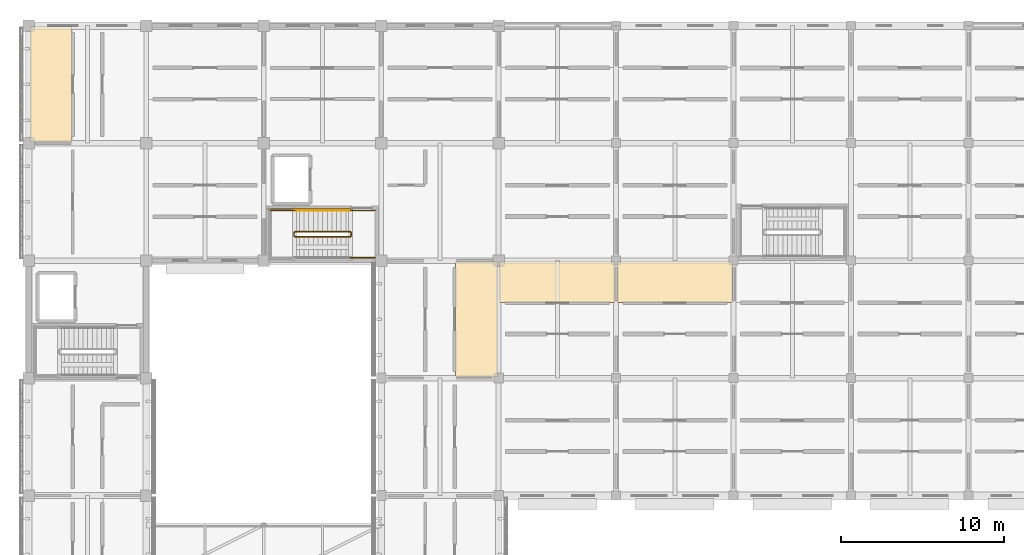
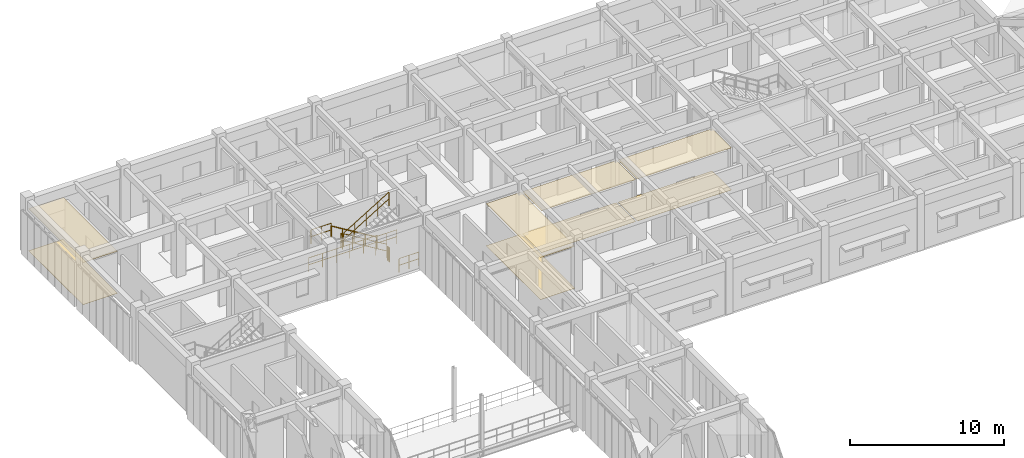
# One storey, part 151 of 171: 9 railings, 8 coverings.
"""IFC4 building model written with IfcOpenShell, lengths in metres."""

from ifc_helpers import new_model, si_unit, direction, frame, origin, origin_2d, place, context, subcontext, project, spatial, polyline, circle, outline, extrude, material, layer, layer_set, type_object, element, save


model = new_model("IFC4")

# Units and contexts
model_context = context("Model", 3, precision=1e-05, world=origin(), true_north=direction((0.0, 1.0)))
body_context = subcontext(model_context, "Body", "Model", "MODEL_VIEW")
ifc_project = project(units=[si_unit("LENGTHUNIT", "METRE"), si_unit("AREAUNIT", "SQUARE_METRE"), si_unit("VOLUMEUNIT", "CUBIC_METRE"), si_unit("PLANEANGLEUNIT", "RADIAN"), si_unit("MASSUNIT", "GRAM", prefix="KILO")], contexts=[model_context])

# Site, building, storey
site_placement = place(None, origin())
site = spatial("IfcSite", under=ifc_project, at=site_placement, CompositionType="ELEMENT")
building_placement = place(site_placement, origin())
building = spatial("IfcBuilding", under=site, at=building_placement, Name="Aldebral Square Health Centre", CompositionType="ELEMENT")
storey_placement = place(building_placement, frame((0.0, 0.0, 4.5)))
storey = spatial("IfcBuildingStorey", under=building, at=storey_placement, Name="L01", CompositionType="ELEMENT", Elevation=4.5)

# Coverings
ifc_material_1 = material(Name="Hygienic acoustic mineral ceiling tile")
ifc_layer_1 = layer(ifc_material_1, 0.02001953125, Name="Hygienic acoustic mineral ceiling tile")
ifc_layer_set_1 = layer_set([ifc_layer_1], Name="Hygienic acoustic mineral ceiling tile")
covering_type_1 = type_object("IfcCoveringType", Name="COV-CLG-AC", PredefinedType="CEILING", material=ifc_layer_set_1)
covering_1_placement = place(storey_placement, frame((0.0, 0.0, 3.340087890625)))
element("IfcCovering", 1, at=covering_1_placement, inside=storey, type_object=covering_type_1, Name="L01 Mammography Screening Suite 5.14N acoustic ceiling", PredefinedType="CEILING", context=body_context, shape_type="SweptSolid", body=[
    extrude(outline(polyline([(28.860107421875, 98.239990234375), (35.93994140625, 98.239990234375), (35.93994140625, 100.739990234375), (28.860107421875, 100.739990234375), (28.860107421875, 98.239990234375)])), origin(), (0.0, 0.0, 1.0), 0.02001953125),
])
covering_2_placement = place(storey_placement, frame((0.0, 0.0, 3.340087890625)))
element("IfcCovering", 2, at=covering_2_placement, inside=storey, type_object=covering_type_1, Name="L01 Mammography Screening Suite 6.14N acoustic ceiling", PredefinedType="CEILING", context=body_context, shape_type="SweptSolid", body=[
    extrude(outline(polyline([(36.06005859375, 98.239990234375), (43.139892578125, 98.239990234375), (43.139892578125, 100.739990234375), (36.06005859375, 100.739990234375), (36.06005859375, 98.239990234375)])), origin(), (0.0, 0.0, 1.0), 0.02001953125),
])
covering_3_placement = place(storey_placement, frame((0.0, 0.0, 3.340087890625)))
element("IfcCovering", 3, at=covering_3_placement, inside=storey, type_object=covering_type_1, Name="L01 Accessible WC 1.16W acoustic ceiling", PredefinedType="CEILING", context=body_context, shape_type="SweptSolid", body=[
    extrude(outline(polyline([(0.06005859375, 108.06005859375), (2.659912109375, 108.06005859375), (2.659912109375, 115.139892578125), (0.06005859375, 115.139892578125), (0.06005859375, 108.06005859375)])), origin(), (0.0, 0.0, 1.0), 0.02001953125),
])
covering_4_placement = place(storey_placement, frame((0.0, 0.0, 3.340087890625)))
element("IfcCovering", 4, at=covering_4_placement, inside=storey, type_object=covering_type_1, Name="L01 Diabetic Foot Care Room 4.14E acoustic ceiling", PredefinedType="CEILING", context=body_context, shape_type="SweptSolid", body=[
    extrude(outline(polyline([(26.139892578125, 93.659912109375), (28.739990234375, 93.659912109375), (28.739990234375, 100.739990234375), (26.139892578125, 100.739990234375), (26.139892578125, 93.659912109375)])), origin(), (0.0, 0.0, 1.0), 0.02001953125),
])
ifc_material_2 = material(Name="Antimicrobial clinical vinyl flooring")
ifc_layer_2 = layer(ifc_material_2, 0.014892578125, Name="Antimicrobial clinical vinyl flooring")
ifc_layer_set_2 = layer_set([ifc_layer_2], Name="Antimicrobial clinical vinyl flooring")
covering_type_2 = type_object("IfcCoveringType", Name="COV-FLR-VN", PredefinedType="FLOORING", material=ifc_layer_set_2)
covering_5_placement = place(storey_placement, origin())
element("IfcCovering", 5, at=covering_5_placement, inside=storey, type_object=covering_type_2, Name="L01 Mammography Screening Suite 5.14N clinical flooring", PredefinedType="FLOORING", context=body_context, shape_type="SweptSolid", body=[
    extrude(outline(polyline([(28.860107421875, 98.239990234375), (35.93994140625, 98.239990234375), (35.93994140625, 100.739990234375), (28.860107421875, 100.739990234375), (28.860107421875, 98.239990234375)])), origin(), (0.0, 0.0, 1.0), 0.014892578125),
])
covering_6_placement = place(storey_placement, origin())
element("IfcCovering", 6, at=covering_6_placement, inside=storey, type_object=covering_type_2, Name="L01 Mammography Screening Suite 6.14N clinical flooring", PredefinedType="FLOORING", context=body_context, shape_type="SweptSolid", body=[
    extrude(outline(polyline([(36.06005859375, 98.239990234375), (43.139892578125, 98.239990234375), (43.139892578125, 100.739990234375), (36.06005859375, 100.739990234375), (36.06005859375, 98.239990234375)])), origin(), (0.0, 0.0, 1.0), 0.014892578125),
])
covering_7_placement = place(storey_placement, origin())
element("IfcCovering", 7, at=covering_7_placement, inside=storey, type_object=covering_type_2, Name="L01 Accessible WC 1.16W clinical flooring", PredefinedType="FLOORING", context=body_context, shape_type="SweptSolid", body=[
    extrude(outline(polyline([(0.06005859375, 108.06005859375), (2.659912109375, 108.06005859375), (2.659912109375, 115.139892578125), (0.06005859375, 115.139892578125), (0.06005859375, 108.06005859375)])), origin(), (0.0, 0.0, 1.0), 0.014892578125),
])
covering_8_placement = place(storey_placement, origin())
element("IfcCovering", 8, at=covering_8_placement, inside=storey, type_object=covering_type_2, Name="L01 Diabetic Foot Care Room 4.14E clinical flooring", PredefinedType="FLOORING", context=body_context, shape_type="SweptSolid", body=[
    extrude(outline(polyline([(26.139892578125, 93.659912109375), (28.739990234375, 93.659912109375), (28.739990234375, 100.739990234375), (26.139892578125, 100.739990234375), (26.139892578125, 93.659912109375)])), origin(), (0.0, 0.0, 1.0), 0.014892578125),
])

# Railings
ifc_material_3 = material(Name="Painted steel S355JR stair guard", Category="steel")
railing_type_1 = type_object("IfcRailingType", Name="RL-ST-GRD", PredefinedType="GUARDRAIL", material=ifc_material_3)
railing_1_placement = place(storey_placement, frame((19.719970703125, 102.570068359375, 0.173095703125)))
element("IfcRailing", 9, at=railing_1_placement, inside=storey, type_object=railing_type_1, Name="L01 ST-02 stair guard 1", PredefinedType="GUARDRAIL", context=body_context, shape_type="SweptSolid", body=[
    extrude(circle(Radius=0.02392578125, at=origin_2d()), frame((0.0, 0.0, 1.09619140625), z_axis=(-0.854729506542, 0.0, 0.519073665916), x_axis=(0.0, -1.0, 0.0)), (0.0, 0.0, 1.0), 4.001220703125),
    extrude(circle(Radius=0.02392578125, at=origin_2d()), frame((0.0, 0.0, 0.56005859375), z_axis=(-0.854729506542, 0.0, 0.519073665916), x_axis=(0.0, -1.0, 0.0)), (0.0, 0.0, 1.0), 4.001220703125),
    extrude(circle(Radius=0.02099609375, at=origin_2d()), origin(), (0.0, 0.0, 1.0), 1.072021484375),
    extrude(circle(Radius=0.02099609375, at=origin_2d()), frame((-0.85498046875, 0.0, 0.519287109375)), (0.0, 0.0, 1.0), 1.072021484375),
    extrude(circle(Radius=0.02099609375, at=origin_2d()), frame((-1.7099609375, 0.0, 1.03857421875)), (0.0, 0.0, 1.0), 1.072021484375),
    extrude(circle(Radius=0.02099609375, at=origin_2d()), frame((-2.56494140625, 0.0, 1.5576171875)), (0.0, 0.0, 1.0), 1.072021484375),
    extrude(circle(Radius=0.02099609375, at=origin_2d()), frame((-3.419921875, 0.0, 2.076904296875)), (0.0, 0.0, 1.0), 1.072021484375),
])
railing_2_placement = place(storey_placement, frame((16.25, 102.52001953125, 2.25)))
element("IfcRailing", 10, at=railing_2_placement, inside=storey, type_object=railing_type_1, Name="L01 ST-02 stair guard 2", PredefinedType="GUARDRAIL", context=body_context, shape_type="SweptSolid", body=[
    extrude(circle(Radius=0.02392578125, at=origin_2d()), frame((0.0, 0.0, 1.09619140625), z_axis=(0.0, -1.0, 0.0), x_axis=(1.0, 0.0, 0.0)), (0.0, 0.0, 1.0), 0.199951171875),
    extrude(circle(Radius=0.02392578125, at=origin_2d()), frame((0.0, 0.0, 0.56005859375), z_axis=(0.0, -1.0, 0.0), x_axis=(1.0, 0.0, 0.0)), (0.0, 0.0, 1.0), 0.199951171875),
    extrude(circle(Radius=0.02099609375, at=origin_2d()), origin(), (0.0, 0.0, 1.0), 1.072021484375),
    extrude(circle(Radius=0.02099609375, at=origin_2d()), frame((0.0, -0.199951171875, 0.0)), (0.0, 0.0, 1.0), 1.072021484375),
])
railing_3_placement = place(storey_placement, frame((16.300048828125, 103.8701171875, 2.25)))
element("IfcRailing", 11, at=railing_3_placement, inside=storey, type_object=railing_type_1, Name="L01 ST-02 stair guard 3", PredefinedType="GUARDRAIL", context=body_context, shape_type="SweptSolid", body=[
    extrude(circle(Radius=0.02392578125, at=origin_2d()), frame((0.0, 0.0, 1.09619140625), z_axis=(-1.0, 0.0, 0.0), x_axis=(0.0, -1.0, 0.0)), (0.0, 0.0, 1.0), 1.52001953125),
    extrude(circle(Radius=0.02392578125, at=origin_2d()), frame((0.0, 0.0, 0.56005859375), z_axis=(-1.0, 0.0, 0.0), x_axis=(0.0, -1.0, 0.0)), (0.0, 0.0, 1.0), 1.52001953125),
    extrude(circle(Radius=0.02099609375, at=origin_2d()), origin(), (0.0, 0.0, 1.0), 1.072021484375),
    extrude(circle(Radius=0.02099609375, at=origin_2d()), frame((-0.760009765625, 0.0, 0.0)), (0.0, 0.0, 1.0), 1.072021484375),
    extrude(circle(Radius=0.02099609375, at=origin_2d()), frame((-1.52001953125, 0.0, 0.0)), (0.0, 0.0, 1.0), 1.072021484375),
])
railing_4_placement = place(storey_placement, frame((16.300048828125, 102.27001953125, 2.423095703125)))
element("IfcRailing", 12, at=railing_4_placement, inside=storey, type_object=railing_type_1, Name="L01 ST-02 stair guard 6", PredefinedType="GUARDRAIL", context=body_context, shape_type="SweptSolid", body=[
    extrude(circle(Radius=0.02392578125, at=origin_2d()), frame((0.0, 0.0, 1.09619140625), z_axis=(0.854729506542, 0.0, 0.519073665916), x_axis=(0.0, 1.0, 0.0)), (0.0, 0.0, 1.0), 4.001220703125),
    extrude(circle(Radius=0.02392578125, at=origin_2d()), frame((0.0, 0.0, 0.56005859375), z_axis=(0.854729506542, 0.0, 0.519073665916), x_axis=(0.0, 1.0, 0.0)), (0.0, 0.0, 1.0), 4.001220703125),
    extrude(circle(Radius=0.02099609375, at=origin_2d()), origin(), (0.0, 0.0, 1.0), 1.072021484375),
    extrude(circle(Radius=0.02099609375, at=origin_2d()), frame((0.85498046875, 0.0, 0.519287109375)), (0.0, 0.0, 1.0), 1.072021484375),
    extrude(circle(Radius=0.02099609375, at=origin_2d()), frame((1.7099609375, 0.0, 1.03857421875)), (0.0, 0.0, 1.0), 1.072021484375),
    extrude(circle(Radius=0.02099609375, at=origin_2d()), frame((2.56494140625, 0.0, 1.5576171875)), (0.0, 0.0, 1.0), 1.072021484375),
    extrude(circle(Radius=0.02099609375, at=origin_2d()), frame((3.419921875, 0.0, 2.076904296875)), (0.0, 0.0, 1.0), 1.072021484375),
])
railing_5_placement = place(storey_placement, frame((19.77001953125, 102.52001953125, 0.0)))
element("IfcRailing", 13, at=railing_5_placement, inside=storey, type_object=railing_type_1, Name="L01 ST-02 stair guard 7", PredefinedType="GUARDRAIL", context=body_context, shape_type="SweptSolid", body=[
    extrude(circle(Radius=0.02392578125, at=origin_2d()), frame((0.0, 0.0, 1.09619140625), z_axis=(0.0, -1.0, 0.0), x_axis=(1.0, 0.0, 0.0)), (0.0, 0.0, 1.0), 0.199951171875),
    extrude(circle(Radius=0.02392578125, at=origin_2d()), frame((0.0, 0.0, 0.56005859375), z_axis=(0.0, -1.0, 0.0), x_axis=(1.0, 0.0, 0.0)), (0.0, 0.0, 1.0), 0.199951171875),
    extrude(circle(Radius=0.02099609375, at=origin_2d()), origin(), (0.0, 0.0, 1.0), 1.072021484375),
    extrude(circle(Radius=0.02099609375, at=origin_2d()), frame((0.0, -0.199951171875, 0.0)), (0.0, 0.0, 1.0), 1.072021484375),
])
for number, where, name in (
    (14, (21.219970703125, 103.8701171875, 0.0), "L01 ST-02 stair guard 8"),
    (15, (21.219970703125, 100.969970703125, 0.0), "L01 ST-02 stair guard 9"),
):
    element("IfcRailing", number, at=place(storey_placement, frame(where)), inside=storey, type_object=railing_type_1, Name=name, PredefinedType="GUARDRAIL", context=body_context, shape_type="SweptSolid", body=[
        extrude(circle(Radius=0.02392578125, at=origin_2d()), frame((0.0, 0.0, 1.09619140625), z_axis=(-1.0, 0.0, 0.0), x_axis=(0.0, -1.0, 0.0)), (0.0, 0.0, 1.0), 1.5),
        extrude(circle(Radius=0.02392578125, at=origin_2d()), frame((0.0, 0.0, 0.56005859375), z_axis=(-1.0, 0.0, 0.0), x_axis=(0.0, -1.0, 0.0)), (0.0, 0.0, 1.0), 1.5),
        extrude(circle(Radius=0.02099609375, at=origin_2d()), origin(), (0.0, 0.0, 1.0), 1.072021484375),
        extrude(circle(Radius=0.02099609375, at=origin_2d()), frame((-0.75, 0.0, 0.0)), (0.0, 0.0, 1.0), 1.072021484375),
        extrude(circle(Radius=0.02099609375, at=origin_2d()), frame((-1.5, 0.0, 0.0)), (0.0, 0.0, 1.0), 1.072021484375),
    ])
railing_6_placement = place(storey_placement, frame((19.820068359375, 103.969970703125, 0.0)))
element("IfcRailing", 16, at=railing_6_placement, inside=storey, type_object=railing_type_1, Name="L01 ST-02 stair guard 10", PredefinedType="GUARDRAIL", context=body_context, shape_type="SweptSolid", body=[
    extrude(circle(Radius=0.02392578125, at=origin_2d()), frame((0.0, 0.0, 1.09619140625), z_axis=(-1.0, 0.0, 0.0), x_axis=(0.0, -1.0, 0.0)), (0.0, 0.0, 1.0), 5.14013671875),
    extrude(circle(Radius=0.02392578125, at=origin_2d()), frame((0.0, 0.0, 0.56005859375), z_axis=(-1.0, 0.0, 0.0), x_axis=(0.0, -1.0, 0.0)), (0.0, 0.0, 1.0), 5.14013671875),
    extrude(circle(Radius=0.02099609375, at=origin_2d()), origin(), (0.0, 0.0, 1.0), 1.072021484375),
    extrude(circle(Radius=0.02099609375, at=origin_2d()), frame((-1.028076171875, 0.0, 0.0)), (0.0, 0.0, 1.0), 1.072021484375),
    extrude(circle(Radius=0.02099609375, at=origin_2d()), frame((-2.05615234375, 0.0, 0.0)), (0.0, 0.0, 1.0), 1.072021484375),
    extrude(circle(Radius=0.02099609375, at=origin_2d()), frame((-3.083984375, 0.0, 0.0)), (0.0, 0.0, 1.0), 1.072021484375),
    extrude(circle(Radius=0.02099609375, at=origin_2d()), frame((-4.112060546875, 0.0, 0.0)), (0.0, 0.0, 1.0), 1.072021484375),
    extrude(circle(Radius=0.02099609375, at=origin_2d()), frame((-5.14013671875, 0.0, 0.0)), (0.0, 0.0, 1.0), 1.072021484375),
])
ifc_material_4 = material(Name="Brushed stainless steel handrail", Category="steel")
railing_type_2 = type_object("IfcRailingType", Name="RL-ST-HND", PredefinedType="HANDRAIL", material=ifc_material_4)
railing_7_placement = place(storey_placement, frame((19.719970703125, 103.8701171875, 0.173095703125)))
element("IfcRailing", 17, at=railing_7_placement, inside=storey, type_object=railing_type_2, Name="L01 ST-02 stair handrail 1", PredefinedType="HANDRAIL", context=body_context, shape_type="SweptSolid", body=[
    extrude(circle(Radius=0.02392578125, at=origin_2d()), frame((0.0, 0.0, 0.8759765625), z_axis=(-0.854729506542, 0.0, 0.519073665916), x_axis=(0.0, -1.0, 0.0)), (0.0, 0.0, 1.0), 4.001220703125),
    extrude(circle(Radius=0.02099609375, at=origin_2d()), origin(), (0.0, 0.0, 1.0), 0.851806640625),
    extrude(circle(Radius=0.02099609375, at=origin_2d()), frame((-0.85498046875, 0.0, 0.519287109375)), (0.0, 0.0, 1.0), 0.851806640625),
    extrude(circle(Radius=0.02099609375, at=origin_2d()), frame((-1.7099609375, 0.0, 1.03857421875)), (0.0, 0.0, 1.0), 0.851806640625),
    extrude(circle(Radius=0.02099609375, at=origin_2d()), frame((-2.56494140625, 0.0, 1.5576171875)), (0.0, 0.0, 1.0), 0.851806640625),
    extrude(circle(Radius=0.02099609375, at=origin_2d()), frame((-3.419921875, 0.0, 2.076904296875)), (0.0, 0.0, 1.0), 0.851806640625),
])

save(model, "model.ifc")
